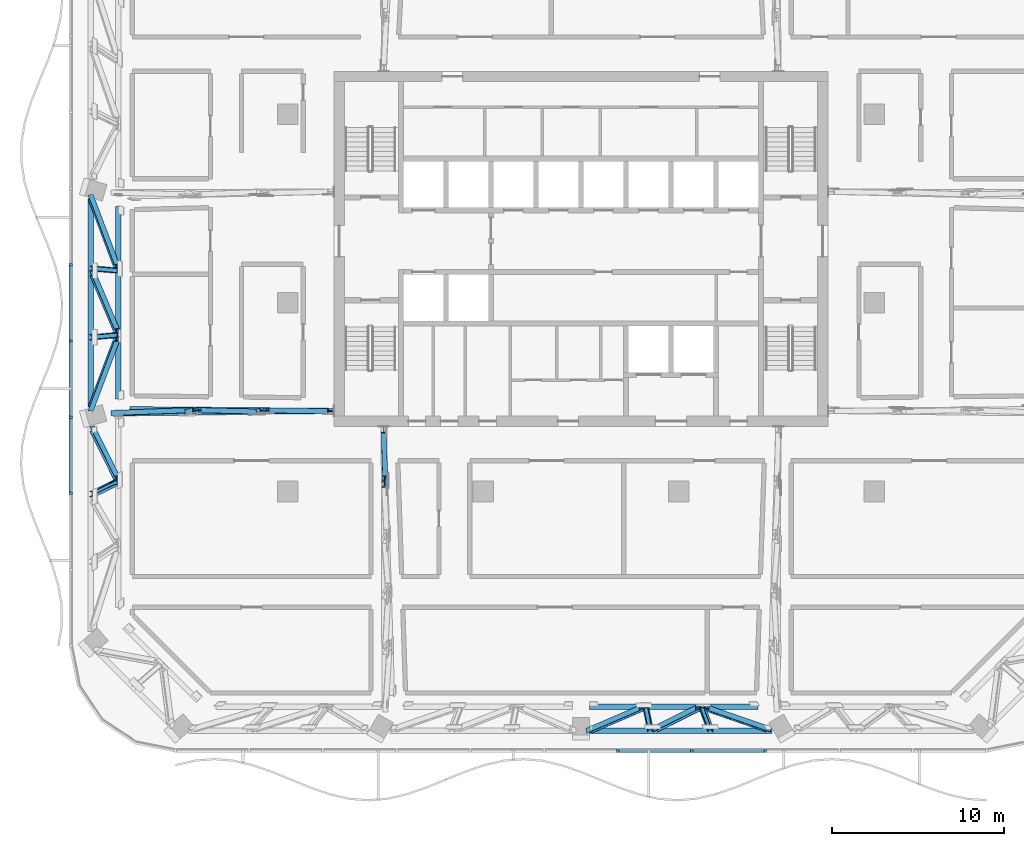
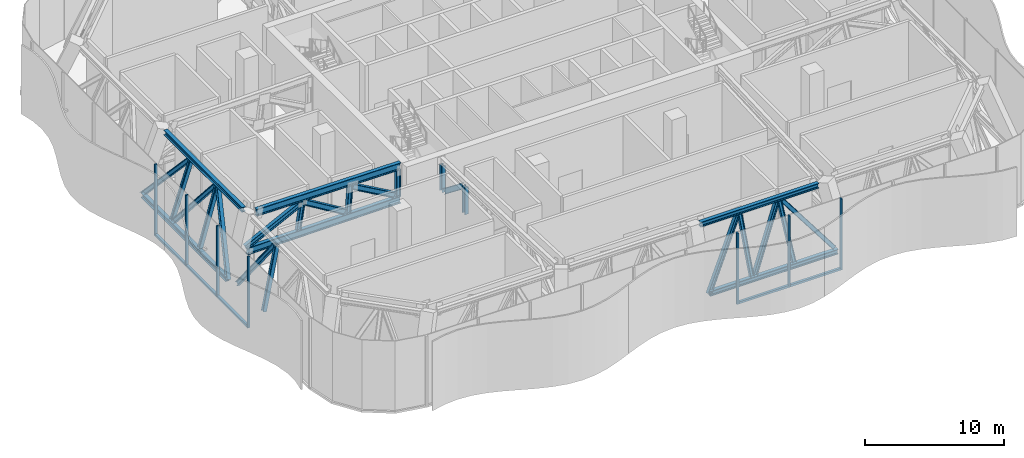
# One storey, part 3 of 29: 39 members, 2 elements without a shape of their own.
"""IFC4 building model written with IfcOpenShell, lengths in metres."""

from ifc_helpers import new_model, si_unit, direction, frame, origin, origin_2d, place, context, subcontext, project, spatial, rectangle, i_section, extrude, material, material_profile, profile_set, type_object, element, aggregate, save


model = new_model("IFC4")

# Units and contexts
model_context = context("Model", 3, precision=1e-05, world=origin(), true_north=direction((0.0, 1.0)))
body_context = subcontext(model_context, "Body", "Model", "MODEL_VIEW")
ifc_project = project(units=[si_unit("LENGTHUNIT", "METRE"), si_unit("AREAUNIT", "SQUARE_METRE"), si_unit("VOLUMEUNIT", "CUBIC_METRE"), si_unit("PLANEANGLEUNIT", "RADIAN"), si_unit("MASSUNIT", "GRAM", prefix="KILO")], contexts=[model_context])

# Site, building, storey
site_placement = place(None, origin())
site = spatial("IfcSite", under=ifc_project, at=site_placement, CompositionType="ELEMENT")
building_placement = place(site_placement, origin())
building = spatial("IfcBuilding", under=site, at=building_placement, Name="Mopane Tessera Tower", CompositionType="ELEMENT")
storey_placement = place(building_placement, frame((0.0, 0.0, 315.39990234375)))
storey = spatial("IfcBuildingStorey", under=building, at=storey_placement, Name="L69", CompositionType="ELEMENT", Elevation=315.39990234375)

# Curtain wall, members
ifc_material_1 = material(Name="Aluminium frame", Category="aluminium")
curtain_wall_type = type_object("IfcCurtainWallType", Name="Plant floor unitised wall", PredefinedType="NOTDEFINED", material=ifc_material_1)
curtain_wall_1_placement = place(storey_placement, origin())
curtain_wall_1 = element("IfcCurtainWall", 1, at=curtain_wall_1_placement, inside=storey, type_object=curtain_wall_type, Name="e:cw:L69:S:0", PredefinedType="NOTDEFINED")
ifc_material_2 = material(Name="Aluminium frame", Category="aluminium")
ifc_material_profile_1 = material_profile(ifc_material_2, rectangle(XDim=0.139892578125, YDim=0.199951171875, at=origin_2d()))
ifc_profile_set_1 = profile_set([ifc_material_profile_1], Name="Aluminium frame")
member_type_1 = type_object("IfcMemberType", Name="Aluminium mullion 140 x 200", PredefinedType="MULLION", material=ifc_profile_set_1)
member_1_placement = place(storey_placement, frame((2.14990234375, -26.10009765625, -0.599853515625), z_axis=(0.0, 0.0, 1.0), x_axis=(1.0, 0.0, 0.0)))
member_1 = element("IfcMember", 2, at=member_1_placement, type_object=member_type_1, Name="e:cw:L69:S:0:mu6", PredefinedType="MULLION", context=body_context, shape_type="SweptSolid", body=[
    extrude(rectangle(XDim=0.139892578125, YDim=0.199951171875, at=origin_2d()), origin(), (0.0, 0.0, 1.0), 6.25),
])
member_2_placement = place(storey_placement, frame((6.449951171875, -26.10009765625, -0.599853515625), z_axis=(0.0, 0.0, 1.0), x_axis=(1.0, 0.0, 0.0)))
member_2 = element("IfcMember", 3, at=member_2_placement, type_object=member_type_1, Name="e:cw:L69:S:0:mu7", PredefinedType="MULLION", context=body_context, shape_type="SweptSolid", body=[
    extrude(rectangle(XDim=0.139892578125, YDim=0.199951171875, at=origin_2d()), origin(), (0.0, 0.0, 1.0), 6.25),
])
member_3_placement = place(storey_placement, frame((10.75, -26.10009765625, -0.599853515625), z_axis=(0.0, 0.0, 1.0), x_axis=(1.0, 0.0, 0.0)))
member_3 = element("IfcMember", 4, at=member_3_placement, type_object=member_type_1, Name="e:cw:L69:S:0:mu8", PredefinedType="MULLION", context=body_context, shape_type="SweptSolid", body=[
    extrude(rectangle(XDim=0.139892578125, YDim=0.199951171875, at=origin_2d()), origin(), (0.0, 0.0, 1.0), 6.25),
])

curtain_wall_2_placement = place(storey_placement, origin())
curtain_wall_2 = element("IfcCurtainWall", 5, at=curtain_wall_2_placement, inside=storey, type_object=curtain_wall_type, Name="e:cw:L69:W:0", PredefinedType="NOTDEFINED")
member_4_placement = place(storey_placement, frame((-29.75, 2.22216796875, -0.599853515625), z_axis=(0.0, 0.0, 1.0), x_axis=(0.0, -1.0, 0.0)))
member_4 = element("IfcMember", 6, at=member_4_placement, type_object=member_type_1, Name="e:cw:L69:W:0:mu4", PredefinedType="MULLION", context=body_context, shape_type="SweptSolid", body=[
    extrude(rectangle(XDim=0.139892578125, YDim=0.199951171875, at=origin_2d()), origin(), (0.0, 0.0, 1.0), 6.25),
])
member_5_placement = place(storey_placement, frame((-29.75, -2.22216796875, -0.599853515625), z_axis=(0.0, 0.0, 1.0), x_axis=(0.0, -1.0, 0.0)))
member_5 = element("IfcMember", 7, at=member_5_placement, type_object=member_type_1, Name="e:cw:L69:W:0:mu5", PredefinedType="MULLION", context=body_context, shape_type="SweptSolid", body=[
    extrude(rectangle(XDim=0.139892578125, YDim=0.199951171875, at=origin_2d()), origin(), (0.0, 0.0, 1.0), 6.25),
])
member_6_placement = place(storey_placement, frame((-29.75, -6.666748046875, -0.599853515625), z_axis=(0.0, 0.0, 1.0), x_axis=(0.0, -1.0, 0.0)))
member_6 = element("IfcMember", 8, at=member_6_placement, type_object=member_type_1, Name="e:cw:L69:W:0:mu6", PredefinedType="MULLION", context=body_context, shape_type="SweptSolid", body=[
    extrude(rectangle(XDim=0.139892578125, YDim=0.199951171875, at=origin_2d()), origin(), (0.0, 0.0, 1.0), 6.25),
])
member_7_placement = place(storey_placement, frame((-29.75, -11.111083984375, -0.599853515625), z_axis=(0.0, 0.0, 1.0), x_axis=(0.0, -1.0, 0.0)))
member_7 = element("IfcMember", 9, at=member_7_placement, type_object=member_type_1, Name="e:cw:L69:W:0:mu7", PredefinedType="MULLION", context=body_context, shape_type="SweptSolid", body=[
    extrude(rectangle(XDim=0.139892578125, YDim=0.199951171875, at=origin_2d()), origin(), (0.0, 0.0, 1.0), 6.25),
])

# Member
ifc_material_3 = material(Name="Aluminium frame", Category="aluminium")
ifc_material_profile_2 = material_profile(ifc_material_3, rectangle(XDim=0.199951171875, YDim=0.179931640625, at=origin_2d()))
ifc_profile_set_2 = profile_set([ifc_material_profile_2], Name="Aluminium frame")
member_type_2 = type_object("IfcMemberType", Name="Aluminium transom 200 x 180", PredefinedType="USERDEFINED", material=ifc_profile_set_2)
member_8_placement = place(storey_placement, frame((2.219970703125, -26.10009765625, -0.510009765625), z_axis=(1.0, 0.0, 0.0), x_axis=(0.0, 1.0, 0.0)))
member_8 = element("IfcMember", 10, at=member_8_placement, type_object=member_type_2, Name="e:cw:L69:S:0:tr6", ObjectType="TRANSOM", PredefinedType="USERDEFINED", context=body_context, shape_type="SweptSolid", body=[
    extrude(rectangle(XDim=0.199951171875, YDim=0.179931640625, at=origin_2d()), origin(), (0.0, 0.0, 1.0), 4.159912109375),
])

member_9_placement = place(storey_placement, frame((6.52001953125, -26.10009765625, -0.510009765625), z_axis=(1.0, 0.0, 0.0), x_axis=(0.0, 1.0, 0.0)))
member_9 = element("IfcMember", 11, at=member_9_placement, type_object=member_type_2, Name="e:cw:L69:S:0:tr7", ObjectType="TRANSOM", PredefinedType="USERDEFINED", context=body_context, shape_type="SweptSolid", body=[
    extrude(rectangle(XDim=0.199951171875, YDim=0.179931640625, at=origin_2d()), origin(), (0.0, 0.0, 1.0), 4.159912109375),
])

aggregate(curtain_wall_1, [member_1, member_2, member_3, member_8, member_9])

member_10_placement = place(storey_placement, frame((-29.75, 2.15234375, -0.510009765625), z_axis=(0.0, -1.0, 0.0), x_axis=(1.0, 0.0, 0.0)))
member_10 = element("IfcMember", 12, at=member_10_placement, type_object=member_type_2, Name="e:cw:L69:W:0:tr4", ObjectType="TRANSOM", PredefinedType="USERDEFINED", context=body_context, shape_type="SweptSolid", body=[
    extrude(rectangle(XDim=0.199951171875, YDim=0.179931640625, at=origin_2d()), origin(), (0.0, 0.0, 1.0), 4.3046875),
])

member_11_placement = place(storey_placement, frame((-29.75, -2.292236328125, -0.510009765625), z_axis=(0.0, -1.0, 0.0), x_axis=(1.0, 0.0, 0.0)))
member_11 = element("IfcMember", 13, at=member_11_placement, type_object=member_type_2, Name="e:cw:L69:W:0:tr5", ObjectType="TRANSOM", PredefinedType="USERDEFINED", context=body_context, shape_type="SweptSolid", body=[
    extrude(rectangle(XDim=0.199951171875, YDim=0.179931640625, at=origin_2d()), origin(), (0.0, 0.0, 1.0), 4.304443359375),
])

member_12_placement = place(storey_placement, frame((-29.75, -6.736572265625, -0.510009765625), z_axis=(0.0, -1.0, 0.0), x_axis=(1.0, 0.0, 0.0)))
member_12 = element("IfcMember", 14, at=member_12_placement, type_object=member_type_2, Name="e:cw:L69:W:0:tr6", ObjectType="TRANSOM", PredefinedType="USERDEFINED", context=body_context, shape_type="SweptSolid", body=[
    extrude(rectangle(XDim=0.199951171875, YDim=0.179931640625, at=origin_2d()), origin(), (0.0, 0.0, 1.0), 4.304443359375),
])

aggregate(curtain_wall_2, [member_4, member_5, member_6, member_7, member_10, member_11, member_12])

# Members
ifc_material_4 = material(Name="Structural steel S460", Category="steel")
ifc_material_profile_3 = material_profile(ifc_material_4, i_section(OverallWidth=0.306884765625, OverallDepth=0.431884765625, WebThickness=0.02099609375, FlangeThickness=0.0400390625, FilletRadius=0.027099609375, at=origin_2d()))
ifc_profile_set_3 = profile_set([ifc_material_profile_3], Name="Structural steel S460")
member_type_3 = type_object("IfcMemberType", Name="Belt truss chord HE 400 M", PredefinedType="CHORD", material=ifc_profile_set_3)
member_13_placement = place(storey_placement, frame((0.49951171875, -24.9423828125, 0.216064453125), z_axis=(1.0, 0.0, 0.0), x_axis=(0.0, 1.0, 0.0)))
element("IfcMember", 15, at=member_13_placement, inside=storey, type_object=member_type_3, Name="Belt truss bottom chord L69 S2-S3", PredefinedType="CHORD", context=body_context, shape_type="SweptSolid", body=[
    extrude(i_section(OverallWidth=0.306884765625, OverallDepth=0.431884765625, WebThickness=0.02099609375, FlangeThickness=0.0400390625, FilletRadius=0.027099609375, at=origin_2d()), origin(), (0.0, 0.0, 1.0), 10.62646484375),
])
member_14_placement = place(storey_placement, frame((0.49951171875, -23.55078125, 5.43408203125), z_axis=(1.0, 0.0, 0.0), x_axis=(0.0, 1.0, 0.0)))
element("IfcMember", 16, at=member_14_placement, inside=storey, type_object=member_type_3, Name="Belt truss top chord L69 S2-S3", PredefinedType="CHORD", context=body_context, shape_type="SweptSolid", body=[
    extrude(i_section(OverallWidth=0.306884765625, OverallDepth=0.431884765625, WebThickness=0.02099609375, FlangeThickness=0.0400390625, FilletRadius=0.027099609375, at=origin_2d()), origin(), (0.0, 0.0, 1.0), 9.822021484375),
])
member_15_placement = place(storey_placement, frame((-28.583251953125, 6.08349609375, 0.216064453125), z_axis=(0.0, -1.0, 0.0), x_axis=(1.0, 0.0, 0.0)))
element("IfcMember", 17, at=member_15_placement, inside=storey, type_object=member_type_3, Name="Belt truss bottom chord L69 W1-W2", PredefinedType="CHORD", context=body_context, shape_type="SweptSolid", body=[
    extrude(i_section(OverallWidth=0.306884765625, OverallDepth=0.431884765625, WebThickness=0.02099609375, FlangeThickness=0.0400390625, FilletRadius=0.027099609375, at=origin_2d()), origin(), (0.0, 0.0, 1.0), 12.1669921875),
])
member_16_placement = place(storey_placement, frame((-26.974609375, 5.619384765625, 5.43408203125), z_axis=(0.0, -1.0, 0.0), x_axis=(1.0, 0.0, 0.0)))
element("IfcMember", 18, at=member_16_placement, inside=storey, type_object=member_type_3, Name="Belt truss top chord L69 W1-W2", PredefinedType="CHORD", context=body_context, shape_type="SweptSolid", body=[
    extrude(i_section(OverallWidth=0.306884765625, OverallDepth=0.431884765625, WebThickness=0.02099609375, FlangeThickness=0.0400390625, FilletRadius=0.027099609375, at=origin_2d()), origin(), (0.0, 0.0, 1.0), 11.23876953125),
])
ifc_material_5 = material(Name="Structural steel S460", Category="steel")
ifc_material_profile_4 = material_profile(ifc_material_5, i_section(OverallWidth=0.300048828125, OverallDepth=0.340087890625, WebThickness=0.011962890625, FlangeThickness=0.021484375, FilletRadius=0.027099609375, at=origin_2d()))
ifc_profile_set_4 = profile_set([ifc_material_profile_4], Name="Structural steel S460")
member_type_4 = type_object("IfcMemberType", Name="Belt truss diagonal HE 340 B", PredefinedType="BRACE", material=ifc_profile_set_4)
member_17_placement = place(storey_placement, frame((0.44921875, -24.950439453125, 0.185546875), z_axis=(0.514516400372, 0.220925514314, 0.828531707826), x_axis=(-0.116524647669, 0.975290682976, -0.187696803877)))
element("IfcMember", 19, at=member_17_placement, inside=storey, type_object=member_type_4, Name="Belt truss diagonal 0 L69 S2-S3", PredefinedType="BRACE", context=body_context, shape_type="SweptSolid", body=[
    extrude(i_section(OverallWidth=0.300048828125, OverallDepth=0.340087890625, WebThickness=0.011962890625, FlangeThickness=0.021484375, FilletRadius=0.027099609375, at=origin_2d()), origin(), (0.0, 0.0, 1.0), 6.00048828125),
])
member_18_placement = place(storey_placement, frame((4.306396484375, -24.86962890625, 0.489013671875), z_axis=(0.461243661488, 0.228650703985, 0.857305744939), x_axis=(-0.108365720861, 0.973508528112, -0.201340547917)))
element("IfcMember", 20, at=member_18_placement, inside=storey, type_object=member_type_4, Name="Belt truss diagonal 1 L69 S2-S3", PredefinedType="BRACE", context=body_context, shape_type="SweptSolid", body=[
    extrude(i_section(OverallWidth=0.300048828125, OverallDepth=0.340087890625, WebThickness=0.011962890625, FlangeThickness=0.021484375, FilletRadius=0.027099609375, at=origin_2d()), origin(), (0.0, 0.0, 1.0), 5.44970703125),
])
member_19_placement = place(storey_placement, frame((7.326416015625, -23.624755859375, 5.1572265625), z_axis=(0.596995763075, -0.20672104206, -0.775153191079), x_axis=(0.126136762894, 0.978399923737, -0.16377761226)))
element("IfcMember", 21, at=member_19_placement, inside=storey, type_object=member_type_4, Name="Belt truss diagonal 2 L69 S2-S3", PredefinedType="BRACE", context=body_context, shape_type="SweptSolid", body=[
    extrude(i_section(OverallWidth=0.300048828125, OverallDepth=0.340087890625, WebThickness=0.011962890625, FlangeThickness=0.021484375, FilletRadius=0.027099609375, at=origin_2d()), origin(), (0.0, 0.0, 1.0), 6.017333984375),
])
member_20_placement = place(storey_placement, frame((-28.5908203125, 6.18212890625, 0.19140625), z_axis=(0.231943807826, -0.616588590973, 0.752343392005), x_axis=(0.972729186357, 0.147026980672, -0.179390626746)))
element("IfcMember", 22, at=member_20_placement, inside=storey, type_object=member_type_4, Name="Belt truss diagonal 0 L69 W1-W2", PredefinedType="BRACE", context=body_context, shape_type="SweptSolid", body=[
    extrude(i_section(OverallWidth=0.300048828125, OverallDepth=0.340087890625, WebThickness=0.011962890625, FlangeThickness=0.021484375, FilletRadius=0.027099609375, at=origin_2d()), origin(), (0.0, 0.0, 1.0), 6.583984375),
])
member_21_placement = place(storey_placement, frame((-28.4951171875, 1.745361328125, 0.501953125), z_axis=(0.241852604143, -0.571014534276, 0.784506035359), x_axis=(0.970312999934, 0.142322202418, -0.195543020478)))
element("IfcMember", 23, at=member_21_placement, inside=storey, type_object=member_type_4, Name="Belt truss diagonal 1 L69 W1-W2", PredefinedType="BRACE", context=body_context, shape_type="SweptSolid", body=[
    extrude(i_section(OverallWidth=0.300048828125, OverallDepth=0.340087890625, WebThickness=0.011962890625, FlangeThickness=0.021484375, FilletRadius=0.027099609375, at=origin_2d()), origin(), (0.0, 0.0, 1.0), 5.922607421875),
])
member_22_placement = place(storey_placement, frame((-27.063720703125, -2.12255859375, 5.144775390625), z_axis=(-0.231943807826, -0.616588590973, -0.752343392005), x_axis=(0.972729186357, -0.147026980672, -0.179390626746)))
element("IfcMember", 24, at=member_22_placement, inside=storey, type_object=member_type_4, Name="Belt truss diagonal 2 L69 W1-W2", PredefinedType="BRACE", context=body_context, shape_type="SweptSolid", body=[
    extrude(i_section(OverallWidth=0.300048828125, OverallDepth=0.340087890625, WebThickness=0.011962890625, FlangeThickness=0.021484375, FilletRadius=0.027099609375, at=origin_2d()), origin(), (0.0, 0.0, 1.0), 6.583984375),
])
member_23_placement = place(storey_placement, frame((-28.49462890625, -7.3359375, 0.503662109375), z_axis=(0.253306018781, -0.510673229061, 0.821613603812), x_axis=(0.967386200464, 0.133718232126, -0.215135709607)))
element("IfcMember", 25, at=member_23_placement, inside=storey, type_object=member_type_4, Name="Belt truss diagonal 0 L69 W2-W3", PredefinedType="BRACE", context=body_context, shape_type="SweptSolid", body=[
    extrude(i_section(OverallWidth=0.300048828125, OverallDepth=0.340087890625, WebThickness=0.011962890625, FlangeThickness=0.021484375, FilletRadius=0.027099609375, at=origin_2d()), origin(), (0.0, 0.0, 1.0), 5.65087890625),
])
ifc_material_6 = material(Name="Structural steel S460", Category="steel")
ifc_material_profile_5 = material_profile(ifc_material_6, i_section(OverallWidth=0.300048828125, OverallDepth=0.300048828125, WebThickness=0.010986328125, FlangeThickness=0.01904296875, FilletRadius=0.027099609375, at=origin_2d()))
ifc_profile_set_5 = profile_set([ifc_material_profile_5], Name="Structural steel S460")
member_type_5 = type_object("IfcMemberType", Name="Belt truss post HE 300 B", PredefinedType="POST", material=ifc_profile_set_5)
member_24_placement = place(storey_placement, frame((4.038330078125, -24.884765625, 0.43212890625), z_axis=(-0.051096004315, 0.257350588206, 0.964966254899), x_axis=(0.0136135181, 0.966318102242, -0.256990267139)))
element("IfcMember", 26, at=member_24_placement, inside=storey, type_object=member_type_5, Name="Belt truss post 1 L69 S2-S3", PredefinedType="POST", context=body_context, shape_type="SweptSolid", body=[
    extrude(i_section(OverallWidth=0.300048828125, OverallDepth=0.300048828125, WebThickness=0.010986328125, FlangeThickness=0.01904296875, FilletRadius=0.027099609375, at=origin_2d()), origin(), (0.0, 0.0, 1.0), 4.959716796875),
])
member_25_placement = place(storey_placement, frame((7.542236328125, -24.884765625, 0.43212890625), z_axis=(-0.095139442992, 0.256518312512, 0.961845539436), x_axis=(0.025189609701, 0.966539369047, -0.255278537375)))
element("IfcMember", 27, at=member_25_placement, inside=storey, type_object=member_type_5, Name="Belt truss post 2 L69 S2-S3", PredefinedType="POST", context=body_context, shape_type="SweptSolid", body=[
    extrude(i_section(OverallWidth=0.300048828125, OverallDepth=0.300048828125, WebThickness=0.010986328125, FlangeThickness=0.01904296875, FilletRadius=0.027099609375, at=origin_2d()), origin(), (0.0, 0.0, 1.0), 4.975830078125),
])
for number, where, z_axis, x_axis, name in (
    (28, (-28.5166015625, 2.0078125, 0.43212890625), (0.294491833865, -0.025730876763, 0.955307532561), (0.955653995687, 0.007910625675, -0.2943855678), "Belt truss post 1 L69 W1-W2"),
    (29, (-28.5166015625, -2.0078125, 0.43212890625), (0.294491833865, 0.025730876763, 0.955307532561), (0.955653995687, -0.007910625675, -0.2943855678), "Belt truss post 2 L69 W1-W2"),
):
    element("IfcMember", number, at=place(storey_placement, frame(where, z_axis=z_axis, x_axis=x_axis)), inside=storey, type_object=member_type_5, Name=name, PredefinedType="POST", context=body_context, shape_type="SweptSolid", body=[
        extrude(i_section(OverallWidth=0.300048828125, OverallDepth=0.300048828125, WebThickness=0.010986328125, FlangeThickness=0.01904296875, FilletRadius=0.027099609375, at=origin_2d()), origin(), (0.0, 0.0, 1.0), 5.009765625),
    ])
member_26_placement = place(storey_placement, frame((-28.5166015625, -11.1708984375, 0.43212890625), z_axis=(0.291615590577, 0.14173009921, 0.945977233505), x_axis=(0.956535595718, -0.043169287221, -0.288402612271)))
element("IfcMember", 30, at=member_26_placement, inside=storey, type_object=member_type_5, Name="Belt truss post 1 L69 W2-W3", PredefinedType="POST", context=body_context, shape_type="SweptSolid", body=[
    extrude(i_section(OverallWidth=0.300048828125, OverallDepth=0.300048828125, WebThickness=0.010986328125, FlangeThickness=0.01904296875, FilletRadius=0.027099609375, at=origin_2d()), origin(), (0.0, 0.0, 1.0), 5.05908203125),
])
ifc_material_7 = material(Name="Structural steel S460", Category="steel")
ifc_material_profile_6 = material_profile(ifc_material_7, i_section(OverallWidth=0.304931640625, OverallDepth=0.6201171875, WebThickness=0.02099609375, FlangeThickness=0.0400390625, FilletRadius=0.027099609375, at=origin_2d()))
ifc_profile_set_6 = profile_set([ifc_material_profile_6], Name="Structural steel S460")
member_type_6 = type_object("IfcMemberType", Name="Outrigger truss chord HE 600 M", PredefinedType="CHORD", material=ifc_profile_set_6)
member_27_placement = place(storey_placement, frame((-14.416259765625, -6.30029296875, 2.41015625), z_axis=(-0.999936482386, -0.011270811533, 0.0), x_axis=(0.011270811533, -0.999936482386, 0.0)))
element("IfcMember", 31, at=member_27_placement, inside=storey, type_object=member_type_6, Name="Outrigger truss bottom chord L69 W2", PredefinedType="CHORD", context=body_context, shape_type="SweptSolid", body=[
    extrude(i_section(OverallWidth=0.304931640625, OverallDepth=0.6201171875, WebThickness=0.02099609375, FlangeThickness=0.0400390625, FilletRadius=0.027099609375, at=origin_2d()), origin(), (0.0, 0.0, 1.0), 12.8017578125),
])
member_28_placement = place(storey_placement, frame((-14.416259765625, -6.2998046875, 5.340087890625), z_axis=(-0.999963368291, 0.008559326818, 0.0), x_axis=(-0.008559326818, -0.999963368291, 0.0)))
element("IfcMember", 32, at=member_28_placement, inside=storey, type_object=member_type_6, Name="Outrigger truss top chord L69 W2", PredefinedType="CHORD", context=body_context, shape_type="SweptSolid", body=[
    extrude(i_section(OverallWidth=0.304931640625, OverallDepth=0.6201171875, WebThickness=0.02099609375, FlangeThickness=0.0400390625, FilletRadius=0.027099609375, at=origin_2d()), origin(), (0.0, 0.0, 1.0), 11.894287109375),
])
ifc_material_8 = material(Name="Structural steel S460", Category="steel")
ifc_material_profile_7 = material_profile(ifc_material_8, i_section(OverallWidth=0.300048828125, OverallDepth=0.449951171875, WebThickness=0.013916015625, FlangeThickness=0.02587890625, FilletRadius=0.027099609375, at=origin_2d()))
ifc_profile_set_7 = profile_set([ifc_material_profile_7], Name="Structural steel S460")
member_type_7 = type_object("IfcMemberType", Name="Outrigger truss diagonal HE 450 B", PredefinedType="BRACE", material=ifc_profile_set_7)
member_29_placement = place(storey_placement, frame((-14.842041015625, -6.3037109375, 2.89990234375), z_axis=(-0.871343805538, 0.005895757354, 0.490637557262), x_axis=(-0.002425276652, -0.999967344298, 0.007708979837)))
element("IfcMember", 33, at=member_29_placement, inside=storey, type_object=member_type_7, Name="Outrigger truss diagonal 0 L69 W2", PredefinedType="BRACE", context=body_context, shape_type="SweptSolid", body=[
    extrude(i_section(OverallWidth=0.300048828125, OverallDepth=0.449951171875, WebThickness=0.013916015625, FlangeThickness=0.02587890625, FilletRadius=0.027099609375, at=origin_2d()), origin(), (0.0, 0.0, 1.0), 3.975341796875),
])
member_30_placement = place(storey_placement, frame((-18.984130859375, -6.33740234375, 2.89990234375), z_axis=(-0.859158649315, 0.020224533163, 0.511309479245), x_axis=(-0.014426890701, -0.999778801999, 0.01530398306)))
element("IfcMember", 34, at=member_30_placement, inside=storey, type_object=member_type_7, Name="Outrigger truss diagonal 1 L69 W2", PredefinedType="BRACE", context=body_context, shape_type="SweptSolid", body=[
    extrude(i_section(OverallWidth=0.300048828125, OverallDepth=0.449951171875, WebThickness=0.013916015625, FlangeThickness=0.02587890625, FilletRadius=0.027099609375, at=origin_2d()), origin(), (0.0, 0.0, 1.0), 3.814697265625),
])
member_31_placement = place(storey_placement, frame((-22.729248046875, -6.258056640625, 4.847412109375), z_axis=(-0.908517471559, -0.03171048406, -0.416641871482), x_axis=(0.030782372825, -0.999486062673, 0.008947404441)))
element("IfcMember", 35, at=member_31_placement, inside=storey, type_object=member_type_7, Name="Outrigger truss diagonal 2 L69 W2", PredefinedType="BRACE", context=body_context, shape_type="SweptSolid", body=[
    extrude(i_section(OverallWidth=0.300048828125, OverallDepth=0.449951171875, WebThickness=0.013916015625, FlangeThickness=0.02587890625, FilletRadius=0.027099609375, at=origin_2d()), origin(), (0.0, 0.0, 1.0), 5.04296875),
])
member_32_placement = place(storey_placement, frame((-11.497802734375, -7.674560546875, 2.876220703125), z_axis=(0.023202999959, -0.78860163614, 0.614466500527), x_axis=(0.999729301311, 0.019357859482, -0.012907260641)))
element("IfcMember", 36, at=member_32_placement, inside=storey, type_object=member_type_7, Name="Outrigger truss diagonal 0 L69 S1", PredefinedType="BRACE", context=body_context, shape_type="SweptSolid", body=[
    extrude(i_section(OverallWidth=0.300048828125, OverallDepth=0.449951171875, WebThickness=0.013916015625, FlangeThickness=0.02587890625, FilletRadius=0.027099609375, at=origin_2d()), origin(), (0.0, 0.0, 1.0), 3.251220703125),
])
ifc_material_9 = material(Name="Structural steel S460", Category="steel")
ifc_material_profile_8 = material_profile(ifc_material_9, i_section(OverallWidth=0.300048828125, OverallDepth=0.360107421875, WebThickness=0.012451171875, FlangeThickness=0.0224609375, FilletRadius=0.027099609375, at=origin_2d()))
ifc_profile_set_8 = profile_set([ifc_material_profile_8], Name="Structural steel S460")
member_type_8 = type_object("IfcMemberType", Name="Outrigger truss post HE 360 B", PredefinedType="POST", material=ifc_profile_set_8)
member_33_placement = place(storey_placement, frame((-14.595947265625, -6.3017578125, 2.72021484375), z_axis=(0.004544923507, 0.001268350746, 0.999988867416), x_axis=(0.002684496349, -0.999995607763, 0.001256158329)))
element("IfcMember", 37, at=member_33_placement, inside=storey, type_object=member_type_8, Name="Outrigger truss post 0 L69 W2", PredefinedType="POST", context=body_context, shape_type="SweptSolid", body=[
    extrude(i_section(OverallWidth=0.300048828125, OverallDepth=0.360107421875, WebThickness=0.012451171875, FlangeThickness=0.0224609375, FilletRadius=0.027099609375, at=origin_2d()), origin(), (0.0, 0.0, 1.0), 2.309814453125),
])
member_34_placement = place(storey_placement, frame((-18.755126953125, -6.340576171875, 2.72021484375), z_axis=(0.099556408627, 0.02869999953, 0.994617932439), x_axis=(0.013953785433, -0.999525921878, 0.027444915111)))
element("IfcMember", 38, at=member_34_placement, inside=storey, type_object=member_type_8, Name="Outrigger truss post 1 L69 W2", PredefinedType="POST", context=body_context, shape_type="SweptSolid", body=[
    extrude(i_section(OverallWidth=0.300048828125, OverallDepth=0.360107421875, WebThickness=0.012451171875, FlangeThickness=0.0224609375, FilletRadius=0.027099609375, at=origin_2d()), origin(), (0.0, 0.0, 1.0), 2.322265625),
])
member_35_placement = place(storey_placement, frame((-22.914306640625, -6.37939453125, 2.72021484375), z_axis=(0.191810966213, 0.055306185722, 0.979872327939), x_axis=(0.0214784415, -0.998408365965, 0.052147975242)))
element("IfcMember", 39, at=member_35_placement, inside=storey, type_object=member_type_8, Name="Outrigger truss post 2 L69 W2", PredefinedType="POST", context=body_context, shape_type="SweptSolid", body=[
    extrude(i_section(OverallWidth=0.300048828125, OverallDepth=0.360107421875, WebThickness=0.012451171875, FlangeThickness=0.0224609375, FilletRadius=0.027099609375, at=origin_2d()), origin(), (0.0, 0.0, 1.0), 2.357177734375),
])
member_36_placement = place(storey_placement, frame((-11.5, -7.394775390625, 2.72021484375), z_axis=(0.001691142792, 0.003065196311, 0.999993872285), x_axis=(0.999738761129, 0.022788372392, -0.001760562623)))
element("IfcMember", 40, at=member_36_placement, inside=storey, type_object=member_type_8, Name="Outrigger truss post 0 L69 S1", PredefinedType="POST", context=body_context, shape_type="SweptSolid", body=[
    extrude(i_section(OverallWidth=0.300048828125, OverallDepth=0.360107421875, WebThickness=0.012451171875, FlangeThickness=0.0224609375, FilletRadius=0.027099609375, at=origin_2d()), origin(), (0.0, 0.0, 1.0), 2.309814453125),
])
member_37_placement = place(storey_placement, frame((-11.48193359375, -10.625244140625, 2.72021484375), z_axis=(0.030804698442, 0.053486240104, 0.998093328639), x_axis=(0.999515656177, 0.002765923552, -0.030996817973)))
element("IfcMember", 41, at=member_37_placement, inside=storey, type_object=member_type_8, Name="Outrigger truss post 1 L69 S1", PredefinedType="POST", context=body_context, shape_type="SweptSolid", body=[
    extrude(i_section(OverallWidth=0.300048828125, OverallDepth=0.360107421875, WebThickness=0.012451171875, FlangeThickness=0.0224609375, FilletRadius=0.027099609375, at=origin_2d()), origin(), (0.0, 0.0, 1.0), 2.314208984375),
])

save(model, "model.ifc")
